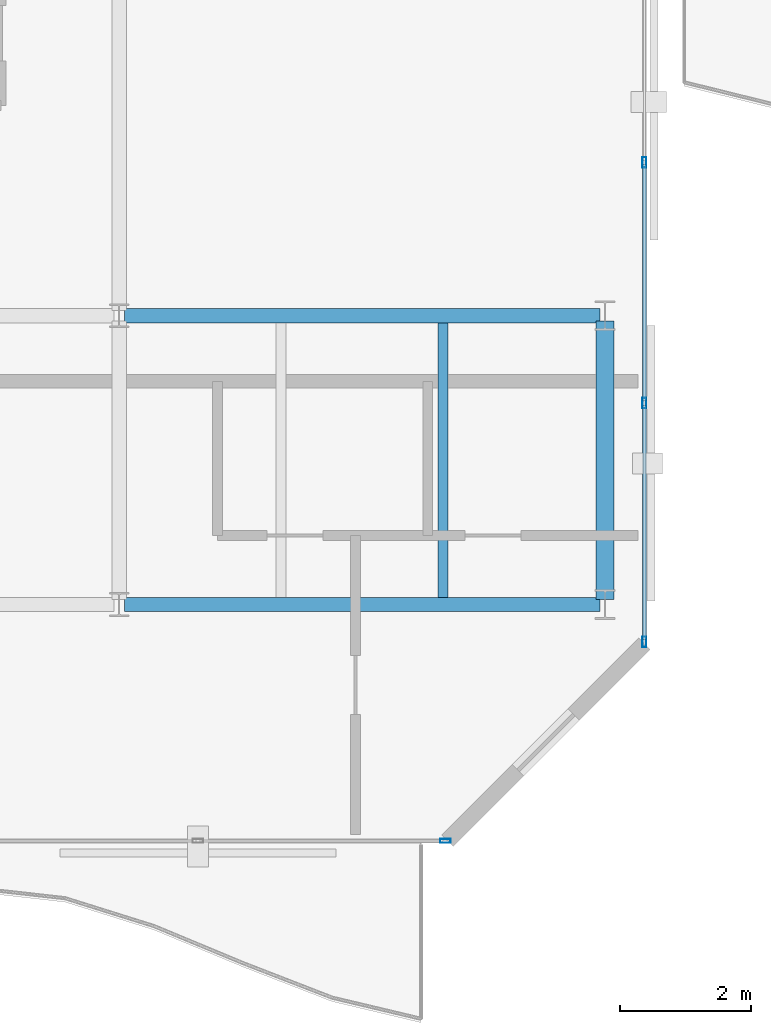
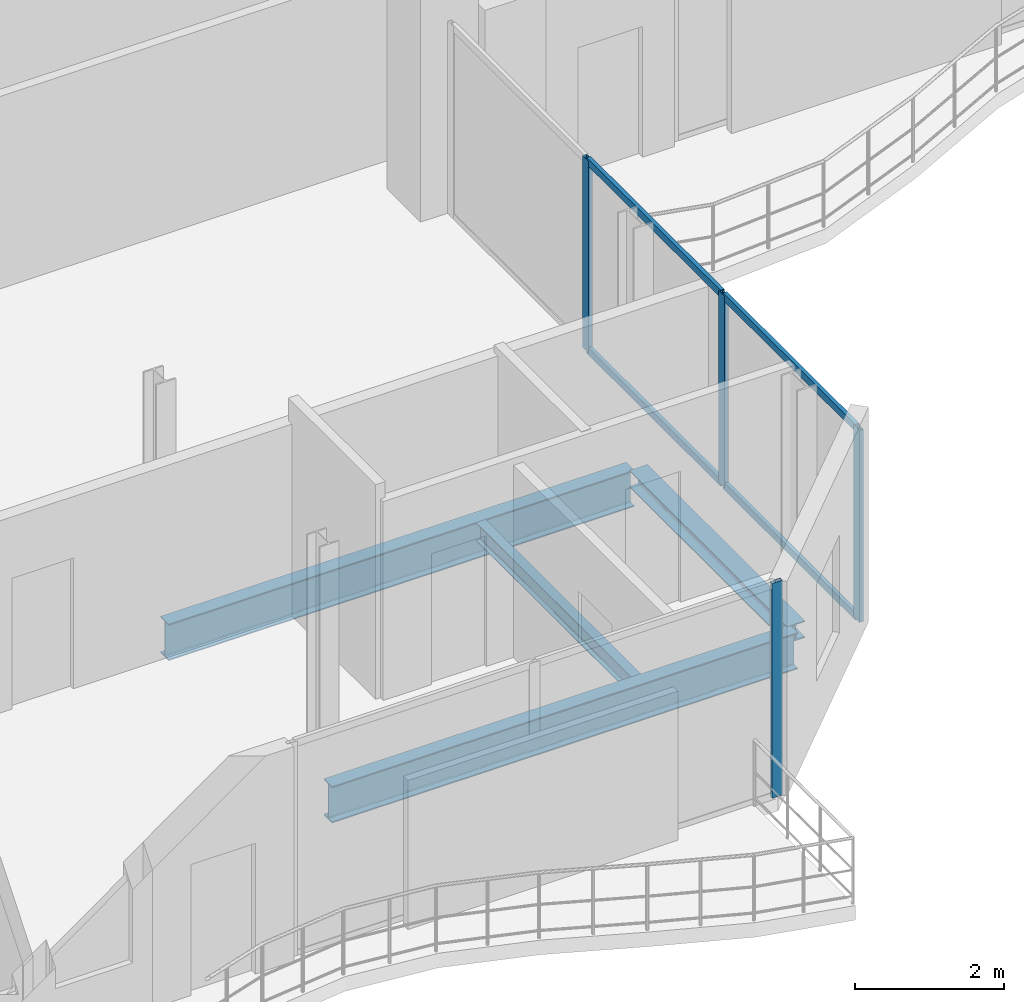
# One storey, part 7 of 23: 8 members, 4 beams, 2 elements without a shape of their own.
"""IFC4 building model written with IfcOpenShell, lengths in metres."""

from ifc_helpers import new_model, si_unit, direction, frame, origin, origin_2d, place, context, subcontext, project, spatial, hollow_rectangle, i_section, extrude, material, layer, layer_set, material_profile, profile_set, type_object, element, aggregate, save


model = new_model("IFC4")

# Units and contexts
model_context = context("Model", 3, precision=1e-05, world=origin(), true_north=direction((0.0, 1.0)))
body_context = subcontext(model_context, "Body", "Model", "MODEL_VIEW")
ifc_project = project(units=[si_unit("LENGTHUNIT", "METRE"), si_unit("AREAUNIT", "SQUARE_METRE"), si_unit("VOLUMEUNIT", "CUBIC_METRE"), si_unit("PLANEANGLEUNIT", "RADIAN"), si_unit("MASSUNIT", "GRAM", prefix="KILO")], contexts=[model_context])

# Site, building, storey
site_placement = place(None, origin())
site = spatial("IfcSite", under=ifc_project, at=site_placement, CompositionType="ELEMENT")
building_placement = place(site_placement, origin())
building = spatial("IfcBuilding", under=site, at=building_placement, Name="Catumbela Crestline Tower", CompositionType="ELEMENT")
storey_placement = place(building_placement, frame((0.0, 0.0, 241.2)))
storey = spatial("IfcBuildingStorey", under=building, at=storey_placement, Name="L62", CompositionType="ELEMENT", Elevation=241.2)

# Beams
ifc_material_1 = material(Name="Structural steel S355J2", Category="steel")
ifc_material_profile_1 = material_profile(ifc_material_1, i_section(OverallWidth=0.22, OverallDepth=0.6, WebThickness=0.012, FlangeThickness=0.019, FilletRadius=0.024, at=origin_2d()), Name="IPE 600")
ifc_profile_set_1 = profile_set([ifc_material_profile_1], Name="Structural steel S355J2")
beam_type_1 = type_object("IfcBeamType", Name="BG-IPE600", PredefinedType="BEAM", material=ifc_profile_set_1)
for number, where, z_axis, x_axis, name in (
    (1, (16.08, 13.6, -0.56), (1.0, 0.0, 0.0), (0.0, 1.0, 0.0), "L62 Beam BM-L62-WEW28"),
    (2, (16.08, 18.0, -0.56), (1.0, 0.0, 0.0), (0.0, 1.0, 0.0), "L62 Beam BM-L62-WEW30"),
):
    element("IfcBeam", number, at=place(storey_placement, frame(where, z_axis=z_axis, x_axis=x_axis)), inside=storey, type_object=beam_type_1, Name=name, PredefinedType="BEAM", context=body_context, shape_type="SweptSolid", body=[
        extrude(i_section(OverallWidth=0.22, OverallDepth=0.6, WebThickness=0.012, FlangeThickness=0.019, FilletRadius=0.024, at=origin_2d()), origin(), (0.0, 0.0, 1.0), 7.24),
    ])
ifc_material_profile_2 = material_profile(ifc_material_1, i_section(OverallWidth=0.15, OverallDepth=0.3, WebThickness=0.0071, FlangeThickness=0.0107, FilletRadius=0.015, at=origin_2d()), Name="IPE 300")
ifc_profile_set_2 = profile_set([ifc_material_profile_2], Name="Structural steel S355J2")
beam_type_2 = type_object("IfcBeamType", Name="BJ-IPE300", PredefinedType="JOIST", material=ifc_profile_set_2)
beam_1_placement = place(storey_placement, frame((20.933, 13.71, -0.41), z_axis=(0.0, 1.0, 0.0), x_axis=(-1.0, 0.0, 0.0)))
element("IfcBeam", 3, at=beam_1_placement, inside=storey, type_object=beam_type_2, Name="L62 Joist JS-L62-WG39", PredefinedType="JOIST", context=body_context, shape_type="SweptSolid", body=[
    extrude(i_section(OverallWidth=0.15, OverallDepth=0.3, WebThickness=0.0071, FlangeThickness=0.0107, FilletRadius=0.015, at=origin_2d()), origin(), (0.0, 0.0, 1.0), 4.18),
])

# Curtain wall, member
ifc_material_2 = material(Name="Aluminium alloy AW-6060-T66", Category="aluminium")
ifc_layer = layer(ifc_material_2, 0.18, Name="Aluminium alloy AW-6060-T66")
ifc_layer_set = layer_set([ifc_layer], Name="Aluminium alloy AW-6060-T66")
curtain_wall_type = type_object("IfcCurtainWallType", Name="CWU-Z4", PredefinedType="USERDEFINED", material=ifc_layer_set)
curtain_wall_1_placement = place(storey_placement, origin())
curtain_wall_1 = element("IfcCurtainWall", 4, at=curtain_wall_1_placement, inside=storey, type_object=curtain_wall_type, Name="L62 Unitised Curtain Wall CW-L62-E0S2", ObjectType="UNITISED", PredefinedType="USERDEFINED")
ifc_material_profile_3 = material_profile(ifc_material_2, hollow_rectangle(XDim=0.06, YDim=0.16, WallThickness=0.004, at=origin_2d()), Name="ALU 160x60x4")
ifc_profile_set_3 = profile_set([ifc_material_profile_3], Name="Aluminium alloy AW-6060-T66")
member_type_1 = type_object("IfcMemberType", Name="MUL-160X60", PredefinedType="MULLION", material=ifc_profile_set_3)
member_1_placement = place(storey_placement, frame((20.9675, 10.0, 0.0), z_axis=(0.0, 0.0, 1.0), x_axis=(0.0, 1.0, 0.0)))
member_1 = element("IfcMember", 5, at=member_1_placement, type_object=member_type_1, Name="CWU-Z4 mullion 3", PredefinedType="MULLION", context=body_context, shape_type="SweptSolid", body=[
    extrude(hollow_rectangle(XDim=0.06, YDim=0.16, WallThickness=0.004, at=origin_2d()), origin(), (0.0, 0.0, 1.0), 3.53),
])
aggregate(curtain_wall_1, [member_1])

# Curtain wall, members
curtain_wall_2_placement = place(storey_placement, origin())
curtain_wall_2 = element("IfcCurtainWall", 6, at=curtain_wall_2_placement, inside=storey, type_object=curtain_wall_type, Name="L62 Unitised Curtain Wall CW-L62-E2S1", ObjectType="UNITISED", PredefinedType="USERDEFINED")
member_2_placement = place(storey_placement, frame((24.0, 13.0325, 0.0), z_axis=(0.0, 0.0, 1.0), x_axis=(-1.0, 0.0, 0.0)))
member_2 = element("IfcMember", 7, at=member_2_placement, type_object=member_type_1, Name="CWU-Z4 mullion 1", PredefinedType="MULLION", context=body_context, shape_type="SweptSolid", body=[
    extrude(hollow_rectangle(XDim=0.06, YDim=0.16, WallThickness=0.004, at=origin_2d()), origin(), (0.0, 0.0, 1.0), 3.16),
])
member_3_placement = place(storey_placement, frame((24.0, 16.6667, 0.0), z_axis=(0.0, 0.0, 1.0), x_axis=(-1.0, 0.0, 0.0)))
member_3 = element("IfcMember", 8, at=member_3_placement, type_object=member_type_1, Name="CWU-Z4 mullion 2", PredefinedType="MULLION", context=body_context, shape_type="SweptSolid", body=[
    extrude(hollow_rectangle(XDim=0.06, YDim=0.16, WallThickness=0.004, at=origin_2d()), origin(), (0.0, 0.0, 1.0), 3.16),
])
member_4_placement = place(storey_placement, frame((24.0, 20.3333, 0.0), z_axis=(0.0, 0.0, 1.0), x_axis=(-1.0, 0.0, 0.0)))
member_4 = element("IfcMember", 9, at=member_4_placement, type_object=member_type_1, Name="CWU-Z4 mullion 3", PredefinedType="MULLION", context=body_context, shape_type="SweptSolid", body=[
    extrude(hollow_rectangle(XDim=0.06, YDim=0.16, WallThickness=0.004, at=origin_2d()), origin(), (0.0, 0.0, 1.0), 3.16),
])

# Beam
ifc_material_profile_4 = material_profile(ifc_material_1, i_section(OverallWidth=0.28, OverallDepth=0.28, WebThickness=0.0105, FlangeThickness=0.018, FilletRadius=0.024, at=origin_2d()), Name="HEB 280")
ifc_profile_set_4 = profile_set([ifc_material_profile_4], Name="Structural steel S355J2")
beam_type_3 = type_object("IfcBeamType", Name="BS-HEB280", PredefinedType="SPANDREL", material=ifc_profile_set_4)
beam_2_placement = place(storey_placement, frame((23.4, 13.68, -0.4), z_axis=(0.0, 1.0, 0.0), x_axis=(-1.0, 0.0, 0.0)))
element("IfcBeam", 10, at=beam_2_placement, inside=storey, type_object=beam_type_3, Name="L62 Spandrel SP-L62-WNS35", PredefinedType="SPANDREL", context=body_context, shape_type="SweptSolid", body=[
    extrude(i_section(OverallWidth=0.28, OverallDepth=0.28, WebThickness=0.0105, FlangeThickness=0.018, FilletRadius=0.024, at=origin_2d()), origin(), (0.0, 0.0, 1.0), 4.24),
])

# Member
ifc_material_profile_5 = material_profile(ifc_material_2, hollow_rectangle(XDim=0.06, YDim=0.12, WallThickness=0.0035, at=origin_2d()), Name="ALU 120x60x3.5")
ifc_profile_set_5 = profile_set([ifc_material_profile_5], Name="Aluminium alloy AW-6060-T66")
member_type_2 = type_object("IfcMemberType", Name="TRN-120X60", PredefinedType="USERDEFINED", material=ifc_profile_set_5)
member_5_placement = place(storey_placement, frame((24.0, 13.065, 0.03), z_axis=(0.0, 1.0, 0.0), x_axis=(-1.0, 0.0, 0.0)))
member_5 = element("IfcMember", 11, at=member_5_placement, type_object=member_type_2, Name="CWU-Z4 transom 1.1", ObjectType="TRANSOM", PredefinedType="USERDEFINED", context=body_context, shape_type="SweptSolid", body=[
    extrude(hollow_rectangle(XDim=0.06, YDim=0.12, WallThickness=0.0035, at=origin_2d()), origin(), (0.0, 0.0, 1.0), 3.5692),
])

member_6_placement = place(storey_placement, frame((24.0, 13.065, 3.13), z_axis=(0.0, 1.0, 0.0), x_axis=(-1.0, 0.0, 0.0)))
member_6 = element("IfcMember", 12, at=member_6_placement, type_object=member_type_2, Name="CWU-Z4 transom 1.2", ObjectType="TRANSOM", PredefinedType="USERDEFINED", context=body_context, shape_type="SweptSolid", body=[
    extrude(hollow_rectangle(XDim=0.06, YDim=0.12, WallThickness=0.0035, at=origin_2d()), origin(), (0.0, 0.0, 1.0), 3.5692),
])

member_7_placement = place(storey_placement, frame((24.0, 16.6992, 0.03), z_axis=(0.0, 1.0, 0.0), x_axis=(-1.0, 0.0, 0.0)))
member_7 = element("IfcMember", 13, at=member_7_placement, type_object=member_type_2, Name="CWU-Z4 transom 2.1", ObjectType="TRANSOM", PredefinedType="USERDEFINED", context=body_context, shape_type="SweptSolid", body=[
    extrude(hollow_rectangle(XDim=0.06, YDim=0.12, WallThickness=0.0035, at=origin_2d()), origin(), (0.0, 0.0, 1.0), 3.6016),
])

member_8_placement = place(storey_placement, frame((24.0, 16.6992, 3.13), z_axis=(0.0, 1.0, 0.0), x_axis=(-1.0, 0.0, 0.0)))
member_8 = element("IfcMember", 14, at=member_8_placement, type_object=member_type_2, Name="CWU-Z4 transom 2.2", ObjectType="TRANSOM", PredefinedType="USERDEFINED", context=body_context, shape_type="SweptSolid", body=[
    extrude(hollow_rectangle(XDim=0.06, YDim=0.12, WallThickness=0.0035, at=origin_2d()), origin(), (0.0, 0.0, 1.0), 3.6016),
])

aggregate(curtain_wall_2, [member_2, member_3, member_4, member_5, member_6, member_7, member_8])

save(model, "model.ifc")
